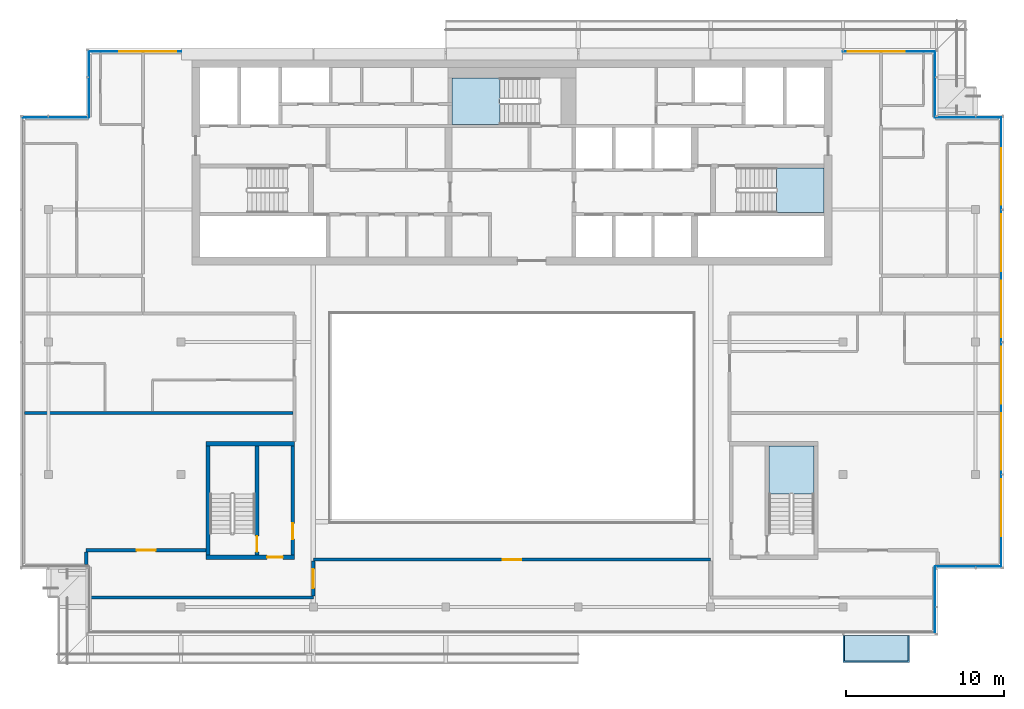
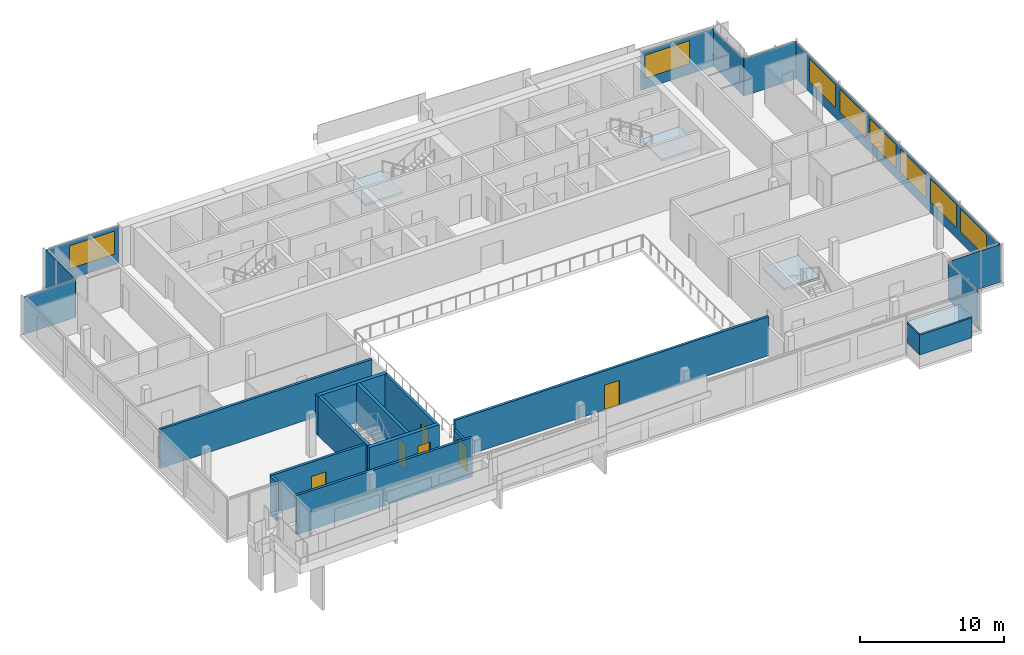
# One storey, part 11 of 22: 11 plates, 11 walls, 8 windows, 6 doors, 3 slabs, 14 openings, 11 elements without a shape of their own.
"""IFC4 building model written with IfcOpenShell, lengths in metres."""

from ifc_helpers import new_model, si_unit, direction, frame, frame_2d, origin, place, context, subcontext, project, spatial, polyline, rectangle, outline, extrude, material, layer, layer_set, type_object, element, fill, aggregate, save


model = new_model("IFC4")

# Units and contexts
model_context = context("Model", 3, precision=1e-05, world=origin(), true_north=direction((0.0, 1.0)))
body_context = subcontext(model_context, "Body", "Model", "MODEL_VIEW")
ifc_project = project(units=[si_unit("LENGTHUNIT", "METRE"), si_unit("AREAUNIT", "SQUARE_METRE"), si_unit("VOLUMEUNIT", "CUBIC_METRE"), si_unit("PLANEANGLEUNIT", "RADIAN"), si_unit("MASSUNIT", "GRAM", prefix="KILO")], contexts=[model_context])

# Site, building, storey
site_placement = place(None, origin())
site = spatial("IfcSite", under=ifc_project, at=site_placement, CompositionType="ELEMENT")
building_placement = place(site_placement, origin())
building = spatial("IfcBuilding", under=site, at=building_placement, Name="Saffron Gate Tower", CompositionType="ELEMENT")
storey_placement = place(building_placement, frame((0.0, 0.0, 295.949951171875)))
storey = spatial("IfcBuildingStorey", under=building, at=storey_placement, Name="L72", CompositionType="ELEMENT", Elevation=295.949951171875)

# Curtain wall, plate, openings, windows
ifc_material_1 = material(Name="Aluminium, bronze anodised", Category="aluminium")
curtain_wall_type_1 = type_object("IfcCurtainWallType", Name="CWS2 curtain wall side facades", PredefinedType="NOTDEFINED", material=ifc_material_1)
curtain_wall_1_placement = place(storey_placement, origin())
curtain_wall_1 = element("IfcCurtainWall", 1, at=curtain_wall_1_placement, inside=storey, type_object=curtain_wall_type_1, Name="CWS2 run 4", PredefinedType="NOTDEFINED")
ifc_material_2 = material(Name="Fritted bronze-tinted laminated glass", Category="glass")
ifc_layer_1 = layer(ifc_material_2, 0.028076171875)
ifc_layer_set_1 = layer_set([ifc_layer_1], Name="CWS2 fixed glass")
plate_type_1 = type_object("IfcPlateType", Name="CWS2 fixed glass", PredefinedType="CURTAIN_PANEL", material=ifc_layer_set_1)
plate_1_placement = place(storey_placement, frame((118.6259765625, 42.7880859375, 0.0), z_axis=(0.0, 0.0, 1.0), x_axis=(0.0, 1.0, 0.0)))
plate_1 = element("IfcPlate", 2, at=plate_1_placement, type_object=plate_type_1, Name="CWS2 glass panel", PredefinedType="CURTAIN_PANEL", context=body_context, shape_type="SweptSolid", body=[
    extrude(rectangle(XDim=28.423828125, YDim=0.028076171875, at=frame_2d((14.2119140625, 0.0))), origin(), (0.0, 0.0, 1.0), 3.199951171875),
])
opening_1_placement = place(plate_1_placement, frame((1.912109375, 0.0, 0.89990234375)))
opening_1 = element("IfcOpeningElement", 3, at=opening_1_placement, cuts=plate_1, Name="Opening W1", PredefinedType="OPENING", context=body_context, shape_type="SweptSolid", body=[
    extrude(rectangle(XDim=3.60009765625, YDim=1.949951171875, at=frame_2d((1.800048828125, 0.97509765625))), frame((0.0, 0.02392578125, 0.0), z_axis=(0.0, -1.0, 0.0), x_axis=(1.0, 0.0, 0.0)), (0.0, 0.0, 1.0), 0.048095703125),
])
opening_2_placement = place(plate_1_placement, frame((6.112060546875, 0.0, 0.89990234375)))
opening_2 = element("IfcOpeningElement", 4, at=opening_2_placement, cuts=plate_1, Name="Opening W1", PredefinedType="OPENING", context=body_context, shape_type="SweptSolid", body=[
    extrude(rectangle(XDim=3.60009765625, YDim=1.949951171875, at=frame_2d((1.800048828125, 0.97509765625))), frame((0.0, 0.02392578125, 0.0), z_axis=(0.0, -1.0, 0.0), x_axis=(1.0, 0.0, 0.0)), (0.0, 0.0, 1.0), 0.048095703125),
])
opening_3_placement = place(plate_1_placement, frame((10.31201171875, 0.0, 0.89990234375)))
opening_3 = element("IfcOpeningElement", 5, at=opening_3_placement, cuts=plate_1, Name="Opening W1", PredefinedType="OPENING", context=body_context, shape_type="SweptSolid", body=[
    extrude(rectangle(XDim=3.60009765625, YDim=1.949951171875, at=frame_2d((1.800048828125, 0.97509765625))), frame((0.0, 0.02392578125, 0.0), z_axis=(0.0, -1.0, 0.0), x_axis=(1.0, 0.0, 0.0)), (0.0, 0.0, 1.0), 0.048095703125),
])
opening_4_placement = place(plate_1_placement, frame((14.511962890625, 0.0, 0.89990234375)))
opening_4 = element("IfcOpeningElement", 6, at=opening_4_placement, cuts=plate_1, Name="Opening W1", PredefinedType="OPENING", context=body_context, shape_type="SweptSolid", body=[
    extrude(rectangle(XDim=3.60009765625, YDim=1.949951171875, at=frame_2d((1.800048828125, 0.97509765625))), frame((0.0, 0.02392578125, 0.0), z_axis=(0.0, -1.0, 0.0), x_axis=(1.0, 0.0, 0.0)), (0.0, 0.0, 1.0), 0.048095703125),
])
opening_5_placement = place(plate_1_placement, frame((18.7119140625, 0.0, 0.89990234375)))
opening_5 = element("IfcOpeningElement", 7, at=opening_5_placement, cuts=plate_1, Name="Opening W1", PredefinedType="OPENING", context=body_context, shape_type="SweptSolid", body=[
    extrude(rectangle(XDim=3.60009765625, YDim=1.949951171875, at=frame_2d((1.800048828125, 0.97509765625))), frame((0.0, 0.02392578125, 0.0), z_axis=(0.0, -1.0, 0.0), x_axis=(1.0, 0.0, 0.0)), (0.0, 0.0, 1.0), 0.048095703125),
])
opening_6_placement = place(plate_1_placement, frame((22.912109375, 0.0, 0.89990234375)))
opening_6 = element("IfcOpeningElement", 8, at=opening_6_placement, cuts=plate_1, Name="Opening W1", PredefinedType="OPENING", context=body_context, shape_type="SweptSolid", body=[
    extrude(rectangle(XDim=3.60009765625, YDim=1.949951171875, at=frame_2d((1.800048828125, 0.97509765625))), frame((0.0, 0.02392578125, 0.0), z_axis=(0.0, -1.0, 0.0), x_axis=(1.0, 0.0, 0.0)), (0.0, 0.0, 1.0), 0.048095703125),
])
ifc_material_3 = material(Name="Fritted bronze-tinted laminated glass in bronze frame", Category="glass")
ifc_layer_2 = layer(ifc_material_3, 0.06005859375)
ifc_layer_set_2 = layer_set([ifc_layer_2], Name="W1 operable panel 3600x1950")
window_type = type_object("IfcWindowType", Name="W1 operable panel 3600x1950", PartitioningType="DOUBLE_PANEL_HORIZONTAL", PredefinedType="WINDOW", material=ifc_layer_set_2)
window_1_placement = place(opening_1_placement, origin())
window_1 = element("IfcWindow", 9, at=window_1_placement, type_object=window_type, Name="W1 operable panel", OverallHeight=1.949951171875, OverallWidth=3.60009765625, PartitioningType="SINGLE_PANEL", PredefinedType="WINDOW", context=body_context, shape_type="SweptSolid", body=[
    extrude(rectangle(XDim=3.60009765625, YDim=1.949951171875, at=frame_2d((1.800048828125, 0.97509765625))), frame((0.0, 0.013671875, 0.0), z_axis=(0.0, -1.0, 0.0), x_axis=(1.0, 0.0, 0.0)), (0.0, 0.0, 1.0), 0.027587890625),
])
fill(opening_1, window_1)
window_2_placement = place(opening_2_placement, origin())
window_2 = element("IfcWindow", 10, at=window_2_placement, type_object=window_type, Name="W1 operable panel", OverallHeight=1.949951171875, OverallWidth=3.60009765625, PartitioningType="SINGLE_PANEL", PredefinedType="WINDOW", context=body_context, shape_type="SweptSolid", body=[
    extrude(rectangle(XDim=3.60009765625, YDim=1.949951171875, at=frame_2d((1.800048828125, 0.97509765625))), frame((0.0, 0.013671875, 0.0), z_axis=(0.0, -1.0, 0.0), x_axis=(1.0, 0.0, 0.0)), (0.0, 0.0, 1.0), 0.027587890625),
])
fill(opening_2, window_2)
window_3_placement = place(opening_3_placement, origin())
window_3 = element("IfcWindow", 11, at=window_3_placement, type_object=window_type, Name="W1 operable panel", OverallHeight=1.949951171875, OverallWidth=3.60009765625, PartitioningType="SINGLE_PANEL", PredefinedType="WINDOW", context=body_context, shape_type="SweptSolid", body=[
    extrude(rectangle(XDim=3.60009765625, YDim=1.949951171875, at=frame_2d((1.800048828125, 0.97509765625))), frame((0.0, 0.013671875, 0.0), z_axis=(0.0, -1.0, 0.0), x_axis=(1.0, 0.0, 0.0)), (0.0, 0.0, 1.0), 0.027587890625),
])
fill(opening_3, window_3)
window_4_placement = place(opening_4_placement, origin())
window_4 = element("IfcWindow", 12, at=window_4_placement, type_object=window_type, Name="W1 operable panel", OverallHeight=1.949951171875, OverallWidth=3.60009765625, PartitioningType="SINGLE_PANEL", PredefinedType="WINDOW", context=body_context, shape_type="SweptSolid", body=[
    extrude(rectangle(XDim=3.60009765625, YDim=1.949951171875, at=frame_2d((1.800048828125, 0.97509765625))), frame((0.0, 0.013671875, 0.0), z_axis=(0.0, -1.0, 0.0), x_axis=(1.0, 0.0, 0.0)), (0.0, 0.0, 1.0), 0.027587890625),
])
fill(opening_4, window_4)
window_5_placement = place(opening_5_placement, origin())
window_5 = element("IfcWindow", 13, at=window_5_placement, type_object=window_type, Name="W1 operable panel", OverallHeight=1.949951171875, OverallWidth=3.60009765625, PartitioningType="SINGLE_PANEL", PredefinedType="WINDOW", context=body_context, shape_type="SweptSolid", body=[
    extrude(rectangle(XDim=3.60009765625, YDim=1.949951171875, at=frame_2d((1.800048828125, 0.97509765625))), frame((0.0, 0.013671875, 0.0), z_axis=(0.0, -1.0, 0.0), x_axis=(1.0, 0.0, 0.0)), (0.0, 0.0, 1.0), 0.027587890625),
])
fill(opening_5, window_5)
window_6_placement = place(opening_6_placement, origin())
window_6 = element("IfcWindow", 14, at=window_6_placement, type_object=window_type, Name="W1 operable panel", OverallHeight=1.949951171875, OverallWidth=3.60009765625, PartitioningType="SINGLE_PANEL", PredefinedType="WINDOW", context=body_context, shape_type="SweptSolid", body=[
    extrude(rectangle(XDim=3.60009765625, YDim=1.949951171875, at=frame_2d((1.800048828125, 0.97509765625))), frame((0.0, 0.013671875, 0.0), z_axis=(0.0, -1.0, 0.0), x_axis=(1.0, 0.0, 0.0)), (0.0, 0.0, 1.0), 0.027587890625),
])
fill(opening_6, window_6)
aggregate(curtain_wall_1, [plate_1, window_1, window_2, window_3, window_4, window_5, window_6])

# Curtain wall, plates, openings, windows
curtain_wall_type_2 = type_object("IfcCurtainWallType", Name="CWS3 curtain wall rear facade", PredefinedType="NOTDEFINED", material=ifc_material_1)
curtain_wall_2_placement = place(storey_placement, origin())
curtain_wall_2 = element("IfcCurtainWall", 15, at=curtain_wall_2_placement, inside=storey, type_object=curtain_wall_type_2, Name="CWS3 run 7", PredefinedType="NOTDEFINED")
ifc_material_4 = material(Name="Fritted grey-tinted laminated glass", Category="glass")
ifc_layer_3 = layer(ifc_material_4, 0.028076171875)
ifc_layer_set_3 = layer_set([ifc_layer_3], Name="CWS3 fixed glass")
plate_type_2 = type_object("IfcPlateType", Name="CWS3 fixed glass", PredefinedType="CURTAIN_PANEL", material=ifc_layer_set_3)
plate_2_placement = place(storey_placement, frame((114.412109375, 75.426025390625, 0.0), z_axis=(0.0, 0.0, 1.0), x_axis=(-1.0, 0.0, 0.0)))
plate_2 = element("IfcPlate", 16, at=plate_2_placement, type_object=plate_type_2, Name="CWS3 glass panel", PredefinedType="CURTAIN_PANEL", context=body_context, shape_type="SweptSolid", body=[
    extrude(rectangle(XDim=5.84716796875, YDim=0.028076171875, at=frame_2d((2.923583984375, 0.0))), origin(), (0.0, 0.0, 1.0), 3.199951171875),
])
opening_7_placement = place(plate_2_placement, frame((1.912109375, 0.0, 0.89990234375)))
opening_7 = element("IfcOpeningElement", 17, at=opening_7_placement, cuts=plate_2, Name="Opening W1", PredefinedType="OPENING", context=body_context, shape_type="SweptSolid", body=[
    extrude(rectangle(XDim=3.60009765625, YDim=1.949951171875, at=frame_2d((1.800048828125, 0.97509765625))), frame((0.0, 0.02392578125, 0.0), z_axis=(0.0, -1.0, 0.0), x_axis=(1.0, 0.0, 0.0)), (0.0, 0.0, 1.0), 0.048095703125),
])
window_7_placement = place(opening_7_placement, origin())
window_7 = element("IfcWindow", 18, at=window_7_placement, type_object=window_type, Name="W1 operable panel", OverallHeight=1.949951171875, OverallWidth=3.60009765625, PartitioningType="SINGLE_PANEL", PredefinedType="WINDOW", context=body_context, shape_type="SweptSolid", body=[
    extrude(rectangle(XDim=3.60009765625, YDim=1.949951171875, at=frame_2d((1.800048828125, 0.97509765625))), frame((0.0, 0.013671875, 0.0), z_axis=(0.0, -1.0, 0.0), x_axis=(1.0, 0.0, 0.0)), (0.0, 0.0, 1.0), 0.027587890625),
])
fill(opening_7, window_7)
plate_3_placement = place(storey_placement, frame((66.635009765625, 75.426025390625, 0.0), z_axis=(0.0, 0.0, 1.0), x_axis=(-1.0, 0.0, 0.0)))
plate_3 = element("IfcPlate", 19, at=plate_3_placement, type_object=plate_type_2, Name="CWS3 glass panel", PredefinedType="CURTAIN_PANEL", context=body_context, shape_type="SweptSolid", body=[
    extrude(rectangle(XDim=5.846923828125, YDim=0.028076171875, at=frame_2d((2.92333984375, 0.0))), origin(), (0.0, 0.0, 1.0), 3.199951171875),
])
opening_8_placement = place(plate_3_placement, frame((0.3349609375, 0.0, 0.89990234375)))
opening_8 = element("IfcOpeningElement", 20, at=opening_8_placement, cuts=plate_3, Name="Opening W1", PredefinedType="OPENING", context=body_context, shape_type="SweptSolid", body=[
    extrude(rectangle(XDim=3.60009765625, YDim=1.949951171875, at=frame_2d((1.800048828125, 0.97509765625))), frame((0.0, 0.02392578125, 0.0), z_axis=(0.0, -1.0, 0.0), x_axis=(1.0, 0.0, 0.0)), (0.0, 0.0, 1.0), 0.048095703125),
])
window_8_placement = place(opening_8_placement, origin())
window_8 = element("IfcWindow", 21, at=window_8_placement, type_object=window_type, Name="W1 operable panel", OverallHeight=1.949951171875, OverallWidth=3.60009765625, PartitioningType="SINGLE_PANEL", PredefinedType="WINDOW", context=body_context, shape_type="SweptSolid", body=[
    extrude(rectangle(XDim=3.60009765625, YDim=1.949951171875, at=frame_2d((1.800048828125, 0.97509765625))), frame((0.0, 0.013671875, 0.0), z_axis=(0.0, -1.0, 0.0), x_axis=(1.0, 0.0, 0.0)), (0.0, 0.0, 1.0), 0.027587890625),
])
fill(opening_8, window_8)
aggregate(curtain_wall_2, [plate_2, plate_3, window_7, window_8])

# Curtain wall, plate
curtain_wall_type_3 = type_object("IfcCurtainWallType", Name="CWS4 curtain wall corner returns", PredefinedType="NOTDEFINED", material=ifc_material_1)
curtain_wall_3_placement = place(storey_placement, origin())
curtain_wall_3 = element("IfcCurtainWall", 22, at=curtain_wall_3_placement, inside=storey, type_object=curtain_wall_type_3, Name="CWS4 run 2", PredefinedType="NOTDEFINED")
ifc_layer_4 = layer(ifc_material_2, 0.028076171875)
ifc_layer_set_4 = layer_set([ifc_layer_4], Name="CWS4 fixed glass")
plate_type_3 = type_object("IfcPlateType", Name="CWS4 fixed glass", PredefinedType="CURTAIN_PANEL", material=ifc_layer_set_4)
plate_4_placement = place(storey_placement, frame((114.426025390625, 38.587890625, 0.0), z_axis=(0.0, 0.0, 1.0), x_axis=(0.0, 1.0, 0.0)))
plate_4 = element("IfcPlate", 23, at=plate_4_placement, type_object=plate_type_3, Name="CWS4 glass panel", PredefinedType="CURTAIN_PANEL", context=body_context, shape_type="SweptSolid", body=[
    extrude(rectangle(XDim=4.172119140625, YDim=0.028076171875, at=frame_2d((2.0859375, 0.0))), origin(), (0.0, 0.0, 1.0), 3.199951171875),
])
aggregate(curtain_wall_3, [plate_4])

curtain_wall_4_placement = place(storey_placement, origin())
curtain_wall_4 = element("IfcCurtainWall", 24, at=curtain_wall_4_placement, inside=storey, type_object=curtain_wall_type_3, Name="CWS4 run 3", PredefinedType="NOTDEFINED")
plate_5_placement = place(storey_placement, frame((114.43994140625, 42.77392578125, 0.0), z_axis=(0.0, 0.0, 1.0), x_axis=(1.0, 0.0, 0.0)))
plate_5 = element("IfcPlate", 25, at=plate_5_placement, type_object=plate_type_3, Name="CWS4 glass panel", PredefinedType="CURTAIN_PANEL", context=body_context, shape_type="SweptSolid", body=[
    extrude(rectangle(XDim=4.172119140625, YDim=0.028076171875, at=frame_2d((2.0859375, 0.0))), origin(), (0.0, 0.0, 1.0), 3.199951171875),
])
aggregate(curtain_wall_4, [plate_5])

curtain_wall_5_placement = place(storey_placement, origin())
curtain_wall_5 = element("IfcCurtainWall", 26, at=curtain_wall_5_placement, inside=storey, type_object=curtain_wall_type_3, Name="CWS4 run 5", PredefinedType="NOTDEFINED")
plate_6_placement = place(storey_placement, frame((118.612060546875, 71.22607421875, 0.0), z_axis=(0.0, 0.0, 1.0), x_axis=(-1.0, 0.0, 0.0)))
plate_6 = element("IfcPlate", 27, at=plate_6_placement, type_object=plate_type_3, Name="CWS4 glass panel", PredefinedType="CURTAIN_PANEL", context=body_context, shape_type="SweptSolid", body=[
    extrude(rectangle(XDim=4.172119140625, YDim=0.028076171875, at=frame_2d((2.0859375, 0.0))), origin(), (0.0, 0.0, 1.0), 3.199951171875),
])
aggregate(curtain_wall_5, [plate_6])

curtain_wall_6_placement = place(storey_placement, origin())
curtain_wall_6 = element("IfcCurtainWall", 28, at=curtain_wall_6_placement, inside=storey, type_object=curtain_wall_type_3, Name="CWS4 run 6", PredefinedType="NOTDEFINED")
plate_7_placement = place(storey_placement, frame((114.426025390625, 71.239990234375, 0.0), z_axis=(0.0, 0.0, 1.0), x_axis=(0.0, 1.0, 0.0)))
plate_7 = element("IfcPlate", 29, at=plate_7_placement, type_object=plate_type_3, Name="CWS4 glass panel", PredefinedType="CURTAIN_PANEL", context=body_context, shape_type="SweptSolid", body=[
    extrude(rectangle(XDim=4.172119140625, YDim=0.028076171875, at=frame_2d((2.0859375, 0.0))), origin(), (0.0, 0.0, 1.0), 3.199951171875),
])
aggregate(curtain_wall_6, [plate_7])

curtain_wall_7_placement = place(storey_placement, origin())
curtain_wall_7 = element("IfcCurtainWall", 30, at=curtain_wall_7_placement, inside=storey, type_object=curtain_wall_type_3, Name="CWS4 run 8", PredefinedType="NOTDEFINED")
plate_8_placement = place(storey_placement, frame((60.77392578125, 75.412109375, 0.0), z_axis=(0.0, 0.0, 1.0), x_axis=(0.0, -1.0, 0.0)))
plate_8 = element("IfcPlate", 31, at=plate_8_placement, type_object=plate_type_3, Name="CWS4 glass panel", PredefinedType="CURTAIN_PANEL", context=body_context, shape_type="SweptSolid", body=[
    extrude(rectangle(XDim=4.172119140625, YDim=0.028076171875, at=frame_2d((2.0859375, 0.0))), origin(), (0.0, 0.0, 1.0), 3.199951171875),
])
aggregate(curtain_wall_7, [plate_8])

curtain_wall_8_placement = place(storey_placement, origin())
curtain_wall_8 = element("IfcCurtainWall", 32, at=curtain_wall_8_placement, inside=storey, type_object=curtain_wall_type_3, Name="CWS4 run 9", PredefinedType="NOTDEFINED")
plate_9_placement = place(storey_placement, frame((60.760009765625, 71.22607421875, 0.0), z_axis=(0.0, 0.0, 1.0), x_axis=(-1.0, 0.0, 0.0)))
plate_9 = element("IfcPlate", 33, at=plate_9_placement, type_object=plate_type_3, Name="CWS4 glass panel", PredefinedType="CURTAIN_PANEL", context=body_context, shape_type="SweptSolid", body=[
    extrude(rectangle(XDim=4.172119140625, YDim=0.028076171875, at=frame_2d((2.0859375, 0.0))), origin(), (0.0, 0.0, 1.0), 3.199951171875),
])
aggregate(curtain_wall_8, [plate_9])

# Stair, slab
ifc_material_5 = material(Name="Concrete C40", Category="concrete")
stair_type = type_object("IfcStairType", Name="ST7 Stair 1350 wide, 20 risers of 180", PredefinedType="HALF_TURN_STAIR", material=ifc_material_5)
stair_1_placement = place(storey_placement, origin())
stair_1 = element("IfcStair", 34, at=stair_1_placement, inside=storey, type_object=stair_type, Name="L72 Exit stair B", PredefinedType="HALF_TURN_STAIR")
ifc_layer_5 = layer(ifc_material_5, 0.199951171875)
ifc_layer_set_5 = layer_set([ifc_layer_5], Name="SL1 Stair landing 200")
slab_type = type_object("IfcSlabType", Name="SL1 Stair landing 200", PredefinedType="LANDING", material=ifc_layer_set_5)
slab_1_placement = place(storey_placement, frame((0.0, 0.0, 1.60009765625)))
slab_1 = element("IfcSlab", 35, at=slab_1_placement, type_object=slab_type, Name="ST-B landing 1", PredefinedType="LANDING", context=body_context, shape_type="SweptSolid", body=[
    extrude(outline(polyline([(104.3701171875, 65.199951171875), (107.39990234375, 65.199951171875), (107.39990234375, 68.050048828125), (104.3701171875, 68.050048828125), (104.3701171875, 65.199951171875)])), origin(), (0.0, 0.0, 1.0), 0.199951171875),
])
aggregate(stair_1, [slab_1])

stair_2_placement = place(storey_placement, origin())
stair_2 = element("IfcStair", 36, at=stair_2_placement, inside=storey, type_object=stair_type, Name="L72 Exit stair C", PredefinedType="HALF_TURN_STAIR")
slab_2_placement = place(storey_placement, frame((0.0, 0.0, 1.60009765625)))
slab_2 = element("IfcSlab", 37, at=slab_2_placement, type_object=slab_type, Name="ST-C landing 1", PredefinedType="LANDING", context=body_context, shape_type="SweptSolid", body=[
    extrude(outline(polyline([(86.830078125, 73.75), (83.800048828125, 73.75), (83.800048828125, 70.800048828125), (86.830078125, 70.800048828125), (86.830078125, 73.75)])), origin(), (0.0, 0.0, 1.0), 0.199951171875),
])
aggregate(stair_2, [slab_2])

stair_3_placement = place(storey_placement, origin())
stair_3 = element("IfcStair", 38, at=stair_3_placement, inside=storey, type_object=stair_type, Name="L72 Exit stair E", PredefinedType="HALF_TURN_STAIR")
slab_3_placement = place(storey_placement, frame((0.0, 0.0, 1.60009765625)))
slab_3 = element("IfcSlab", 39, at=slab_3_placement, type_object=slab_type, Name="ST-E landing 1", PredefinedType="LANDING", context=body_context, shape_type="SweptSolid", body=[
    extrude(outline(polyline([(106.75, 47.3701171875), (106.75, 50.39990234375), (103.89990234375, 50.39990234375), (103.89990234375, 47.3701171875), (106.75, 47.3701171875)])), origin(), (0.0, 0.0, 1.0), 0.199951171875),
])
aggregate(stair_3, [slab_3])

# Plates
ifc_layer_6 = layer(ifc_material_1, 0.1201171875)
ifc_layer_set_6 = layer_set([ifc_layer_6], Name="WB2 box roof")
plate_type_4 = type_object("IfcPlateType", Name="WB2 box roof", PredefinedType="SHEET", material=ifc_layer_set_6)
plate_10_placement = place(storey_placement, frame((0.0, 0.0, 2.699951171875)))
element("IfcPlate", 40, at=plate_10_placement, inside=storey, type_object=plate_type_4, Name="WINDOW BOX roof", PredefinedType="SHEET", context=body_context, shape_type="SweptSolid", body=[
    extrude(outline(polyline([(108.60009765625, 38.39990234375), (112.800048828125, 38.39990234375), (112.800048828125, 36.6669921875), (108.60009765625, 36.6669921875), (108.60009765625, 38.39990234375)])), origin(), (0.0, 0.0, 1.0), 0.1201171875),
])
ifc_material_6 = material(Name="Clear low-iron laminated glass", Category="glass")
ifc_layer_7 = layer(ifc_material_6, 0.10009765625)
ifc_layer_set_7 = layer_set([ifc_layer_7], Name="WB6 box glazing")
plate_type_5 = type_object("IfcPlateType", Name="WB6 box glazing", PredefinedType="SHEET", material=ifc_layer_set_7)
plate_11_placement = place(storey_placement, frame((0.0, 0.0, 1.0)))
element("IfcPlate", 41, at=plate_11_placement, inside=storey, type_object=plate_type_5, Name="WINDOW BOX glazing", PredefinedType="SHEET", context=body_context, shape_type="SweptSolid", body=[
    extrude(outline(polyline([(108.60009765625, 38.39990234375), (108.699951171875, 38.39990234375), (108.699951171875, 36.76708984375), (112.699951171875, 36.76708984375), (112.699951171875, 38.39990234375), (112.800048828125, 38.39990234375), (112.800048828125, 36.6669921875), (108.60009765625, 36.6669921875), (108.60009765625, 38.39990234375)])), origin(), (0.0, 0.0, 1.0), 1.699951171875),
])

# Wall, opening, door
ifc_material_7 = material(Name="Gypsum board partition on steel studs", Category="steel")
ifc_layer_8 = layer(ifc_material_7, 0.199951171875)
ifc_layer_set_8 = layer_set([ifc_layer_8], Name="CW10 Core partition 200")
wall_type_1 = type_object("IfcWallType", Name="CW10 Core partition 200", PredefinedType="PARTITIONING", material=ifc_layer_set_8)
wall_1_placement = place(storey_placement, frame((73.699951171875, 43.5, 0.0), z_axis=(0.0, 0.0, 1.0), x_axis=(0.0, 1.0, 0.0)))
wall_1 = element("IfcWall", 42, at=wall_1_placement, inside=storey, type_object=wall_type_1, Name="Wall CW10-L72-D-4", PredefinedType="PARTITIONING", context=body_context, shape_type="SweptSolid", body=[
    extrude(rectangle(XDim=6.89990234375, YDim=0.199951171875, at=frame_2d((3.449951171875, 0.0))), origin(), (0.0, 0.0, 1.0), 3.320068359375),
])
opening_9_placement = place(wall_1_placement, frame((1.0, 0.0, 0.0)))
opening_9 = element("IfcOpeningElement", 43, at=opening_9_placement, cuts=wall_1, Name="Opening CR-19", PredefinedType="OPENING", context=body_context, shape_type="SweptSolid", body=[
    extrude(rectangle(XDim=1.0, YDim=2.10009765625, at=frame_2d((0.5, 1.050048828125))), frame((0.0, 0.10986328125, 0.0), z_axis=(0.0, -1.0, 0.0), x_axis=(1.0, 0.0, 0.0)), (0.0, 0.0, 1.0), 0.219970703125),
])
ifc_material_8 = material(Name="Steel fire door set", Category="steel")
door_type_1 = type_object("IfcDoorType", Name="CD4 Lobby door 1000x2100 EI 120", OperationType="NOTDEFINED", PredefinedType="DOOR", material=ifc_material_8)
door_1_placement = place(opening_9_placement, origin())
door_1 = element("IfcDoor", 44, at=door_1_placement, inside=storey, type_object=door_type_1, Name="DOOR CR-19", OperationType="SINGLE_SWING_RIGHT", OverallHeight=2.10009765625, OverallWidth=1.0, PredefinedType="DOOR", context=body_context, shape_type="SweptSolid", body=[
    extrude(rectangle(XDim=1.0, YDim=2.10009765625, at=frame_2d((0.5, 1.050048828125))), frame((0.0, 0.02490234375, 0.0), z_axis=(0.0, -1.0, 0.0), x_axis=(1.0, 0.0, 0.0)), (0.0, 0.0, 1.0), 0.050048828125),
])
fill(opening_9, door_1)

# Wall
ifc_material_9 = material(Name="Concrete C50", Category="concrete")
ifc_layer_9 = layer(ifc_material_9, 0.25)
ifc_layer_set_9 = layer_set([ifc_layer_9], Name="CW23 RC core wall 250 C50")
wall_type_2 = type_object("IfcWallType", Name="CW23 RC core wall 250 C50", PredefinedType="SOLIDWALL", material=ifc_layer_set_9)
wall_2_placement = place(storey_placement, frame((68.324951171875, 43.5, 0.0), z_axis=(0.0, 0.0, 1.0), x_axis=(0.0, 1.0, 0.0)))
element("IfcWall", 45, at=wall_2_placement, inside=storey, type_object=wall_type_2, Name="Wall CW23-L72-D-2", PredefinedType="SOLIDWALL", context=body_context, shape_type="SweptSolid", body=[
    extrude(rectangle(XDim=6.89990234375, YDim=0.25, at=frame_2d((3.449951171875, 0.0))), origin(), (0.0, 0.0, 1.0), 3.320068359375),
])

# Wall, opening, door
wall_3_placement = place(storey_placement, frame((71.425048828125, 43.5, 0.0), z_axis=(0.0, 0.0, 1.0), x_axis=(0.0, 1.0, 0.0)))
wall_3 = element("IfcWall", 46, at=wall_3_placement, inside=storey, type_object=wall_type_2, Name="Wall CW23-L72-D-3", PredefinedType="SOLIDWALL", context=body_context, shape_type="SweptSolid", body=[
    extrude(rectangle(XDim=6.89990234375, YDim=0.25, at=frame_2d((3.449951171875, 0.0))), origin(), (0.0, 0.0, 1.0), 3.320068359375),
])
opening_10_placement = place(wall_3_placement, frame((0.199951171875, 0.0, 0.0)))
opening_10 = element("IfcOpeningElement", 47, at=opening_10_placement, cuts=wall_3, Name="Opening CR-20", PredefinedType="OPENING", context=body_context, shape_type="SweptSolid", body=[
    extrude(rectangle(XDim=1.0, YDim=2.10009765625, at=frame_2d((0.5, 1.050048828125))), frame((0.0, 0.135009765625, 0.0), z_axis=(0.0, -1.0, 0.0), x_axis=(1.0, 0.0, 0.0)), (0.0, 0.0, 1.0), 0.27001953125),
])
door_type_2 = type_object("IfcDoorType", Name="CD5 Stair door 1000x2100 EI 120", OperationType="NOTDEFINED", PredefinedType="DOOR", material=ifc_material_8)
door_2_placement = place(opening_10_placement, origin())
door_2 = element("IfcDoor", 48, at=door_2_placement, inside=storey, type_object=door_type_2, Name="DOOR CR-20", OperationType="SINGLE_SWING_LEFT", OverallHeight=2.10009765625, OverallWidth=1.0, PredefinedType="DOOR", context=body_context, shape_type="SweptSolid", body=[
    extrude(rectangle(XDim=1.0, YDim=2.10009765625, at=frame_2d((0.5, 1.050048828125))), frame((0.0, 0.02490234375, 0.0), z_axis=(0.0, -1.0, 0.0), x_axis=(1.0, 0.0, 0.0)), (0.0, 0.0, 1.0), 0.050048828125),
])
fill(opening_10, door_2)

ifc_layer_10 = layer(ifc_material_9, 0.300048828125)
ifc_layer_set_10 = layer_set([ifc_layer_10], Name="CW26 RC core wall 300 C50")
wall_type_3 = type_object("IfcWallType", Name="CW26 RC core wall 300 C50", PredefinedType="SOLIDWALL", material=ifc_layer_set_10)
wall_4_placement = place(storey_placement, frame((68.199951171875, 43.35009765625, 0.0), z_axis=(0.0, 0.0, 1.0), x_axis=(1.0, 0.0, 0.0)))
wall_4 = element("IfcWall", 49, at=wall_4_placement, inside=storey, type_object=wall_type_3, Name="Wall CW26-L72-D-1", PredefinedType="SOLIDWALL", context=body_context, shape_type="SweptSolid", body=[
    extrude(rectangle(XDim=5.60009765625, YDim=0.300048828125, at=frame_2d((2.800048828125, 0.0))), origin(), (0.0, 0.0, 1.0), 3.320068359375),
])
opening_11_placement = place(wall_4_placement, frame((3.875, 0.0, 0.0)))
opening_11 = element("IfcOpeningElement", 50, at=opening_11_placement, cuts=wall_4, Name="Opening CR-18", PredefinedType="OPENING", context=body_context, shape_type="SweptSolid", body=[
    extrude(rectangle(XDim=1.0, YDim=2.10009765625, at=frame_2d((0.5, 1.050048828125))), frame((0.0, 0.16015625, 0.0), z_axis=(0.0, -1.0, 0.0), x_axis=(1.0, 0.0, 0.0)), (0.0, 0.0, 1.0), 0.320068359375),
])
door_3_placement = place(opening_11_placement, origin())
door_3 = element("IfcDoor", 51, at=door_3_placement, inside=storey, type_object=door_type_1, Name="DOOR CR-18", OperationType="SINGLE_SWING_RIGHT", OverallHeight=2.10009765625, OverallWidth=1.0, PredefinedType="DOOR", context=body_context, shape_type="SweptSolid", body=[
    extrude(rectangle(XDim=1.0, YDim=2.10009765625, at=frame_2d((0.5, 1.050048828125))), frame((0.0, 0.02490234375, 0.0), z_axis=(0.0, -1.0, 0.0), x_axis=(1.0, 0.0, 0.0)), (0.0, 0.0, 1.0), 0.050048828125),
])
fill(opening_11, door_3)

# Walls
wall_5_placement = place(storey_placement, frame((68.199951171875, 50.550048828125, 0.0), z_axis=(0.0, 0.0, 1.0), x_axis=(1.0, 0.0, 0.0)))
element("IfcWall", 52, at=wall_5_placement, inside=storey, type_object=wall_type_3, Name="Wall CW26-L72-D-5", PredefinedType="SOLIDWALL", context=body_context, shape_type="SweptSolid", body=[
    extrude(rectangle(XDim=5.60009765625, YDim=0.300048828125, at=frame_2d((2.800048828125, 0.0))), origin(), (0.0, 0.0, 1.0), 3.320068359375),
])
ifc_material_10 = material(Name="Clay brick masonry, rendered", Category="masonry")
ifc_layer_11 = layer(ifc_material_10, 0.199951171875)
ifc_layer_set_11 = layer_set([ifc_layer_11], Name="PW3 Corridor wall 200")
wall_type_4 = type_object("IfcWallType", Name="PW3 Corridor wall 200", PredefinedType="PARTITIONING", material=ifc_layer_set_11)
wall_6_placement = place(storey_placement, frame((60.8798828125, 40.800048828125, 0.0), z_axis=(0.0, 0.0, 1.0), x_axis=(1.0, 0.0, 0.0)))
element("IfcWall", 53, at=wall_6_placement, inside=storey, type_object=wall_type_4, Name="Wall E5-1", PredefinedType="PARTITIONING", context=body_context, shape_type="SweptSolid", body=[
    extrude(rectangle(XDim=14.1201171875, YDim=0.199951171875, at=frame_2d((7.06005859375, 0.0))), origin(), (0.0, 0.0, 1.0), 3.320068359375),
])

# Wall, opening, door
wall_7_placement = place(storey_placement, frame((100.199951171875, 43.199951171875, 0.0), z_axis=(0.0, 0.0, 1.0), x_axis=(-1.0, 0.0, 0.0)))
wall_7 = element("IfcWall", 54, at=wall_7_placement, inside=storey, type_object=wall_type_4, Name="Wall E5-3", PredefinedType="PARTITIONING", context=body_context, shape_type="SweptSolid", body=[
    extrude(rectangle(XDim=25.199951171875, YDim=0.199951171875, at=frame_2d((12.60009765625, 0.0))), origin(), (0.0, 0.0, 1.0), 3.320068359375),
])
opening_12_placement = place(wall_7_placement, frame((12.0, 0.0, 0.0)))
opening_12 = element("IfcOpeningElement", 55, at=opening_12_placement, cuts=wall_7, Name="Opening E5-14", PredefinedType="OPENING", context=body_context, shape_type="SweptSolid", body=[
    extrude(rectangle(XDim=1.199951171875, YDim=2.10009765625, at=frame_2d((0.60009765625, 1.050048828125))), frame((0.0, 0.10986328125, 0.0), z_axis=(0.0, -1.0, 0.0), x_axis=(1.0, 0.0, 0.0)), (0.0, 0.0, 1.0), 0.219970703125),
])
ifc_material_11 = material(Name="Timber door set", Category="wood")
door_type_3 = type_object("IfcDoorType", Name="HD1 Hall door 1200x2100", OperationType="NOTDEFINED", PredefinedType="DOOR", material=ifc_material_11)
door_4_placement = place(opening_12_placement, origin())
door_4 = element("IfcDoor", 56, at=door_4_placement, inside=storey, type_object=door_type_3, Name="Door E5-14", OperationType="SINGLE_SWING_RIGHT", OverallHeight=2.10009765625, OverallWidth=1.199951171875, PredefinedType="DOOR", context=body_context, shape_type="SweptSolid", body=[
    extrude(rectangle(XDim=1.199951171875, YDim=2.10009765625, at=frame_2d((0.60009765625, 1.050048828125))), frame((0.0, 0.02490234375, 0.0), z_axis=(0.0, -1.0, 0.0), x_axis=(1.0, 0.0, 0.0)), (0.0, 0.0, 1.0), 0.050048828125),
])
fill(opening_12, door_4)

wall_8_placement = place(storey_placement, frame((60.60009765625, 43.800048828125, 0.0), z_axis=(0.0, 0.0, 1.0), x_axis=(1.0, 0.0, 0.0)))
wall_8 = element("IfcWall", 57, at=wall_8_placement, inside=storey, type_object=wall_type_4, Name="Wall E5-4", PredefinedType="PARTITIONING", context=body_context, shape_type="SweptSolid", body=[
    extrude(rectangle(XDim=7.599853515625, YDim=0.199951171875, at=frame_2d((3.7998046875, 0.0))), origin(), (0.0, 0.0, 1.0), 3.320068359375),
])
opening_13_placement = place(wall_8_placement, frame((3.199951171875, 0.0, 0.0)))
opening_13 = element("IfcOpeningElement", 58, at=opening_13_placement, cuts=wall_8, Name="Opening E5-17", PredefinedType="OPENING", context=body_context, shape_type="SweptSolid", body=[
    extrude(rectangle(XDim=1.199951171875, YDim=2.10009765625, at=frame_2d((0.60009765625, 1.050048828125))), frame((0.0, 0.10986328125, 0.0), z_axis=(0.0, -1.0, 0.0), x_axis=(1.0, 0.0, 0.0)), (0.0, 0.0, 1.0), 0.219970703125),
])
door_5_placement = place(opening_13_placement, origin())
door_5 = element("IfcDoor", 59, at=door_5_placement, inside=storey, type_object=door_type_3, Name="Door E5-17", OperationType="SINGLE_SWING_LEFT", OverallHeight=2.10009765625, OverallWidth=1.199951171875, PredefinedType="DOOR", context=body_context, shape_type="SweptSolid", body=[
    extrude(rectangle(XDim=1.199951171875, YDim=2.10009765625, at=frame_2d((0.60009765625, 1.050048828125))), frame((0.0, 0.02490234375, 0.0), z_axis=(0.0, -1.0, 0.0), x_axis=(1.0, 0.0, 0.0)), (0.0, 0.0, 1.0), 0.050048828125),
])
fill(opening_13, door_5)

# Wall
wall_9_placement = place(storey_placement, frame((60.60009765625, 43.699951171875, 0.0), z_axis=(0.0, 0.0, 1.0), x_axis=(0.0, -1.0, 0.0)))
element("IfcWall", 60, at=wall_9_placement, inside=storey, type_object=wall_type_4, Name="Wall E5-30", PredefinedType="PARTITIONING", context=body_context, shape_type="SweptSolid", body=[
    extrude(rectangle(XDim=0.820068359375, YDim=0.199951171875, at=frame_2d((0.41015625, 0.0))), origin(), (0.0, 0.0, 1.0), 3.320068359375),
])

# Wall, opening, door
wall_10_placement = place(storey_placement, frame((75.0, 43.10009765625, 0.0), z_axis=(0.0, 0.0, 1.0), x_axis=(0.0, -1.0, 0.0)))
wall_10 = element("IfcWall", 61, at=wall_10_placement, inside=storey, type_object=wall_type_4, Name="Wall E5-37", PredefinedType="PARTITIONING", context=body_context, shape_type="SweptSolid", body=[
    extrude(rectangle(XDim=2.2001953125, YDim=0.199951171875, at=frame_2d((1.10009765625, 0.0))), origin(), (0.0, 0.0, 1.0), 2.530029296875),
])
opening_14_placement = place(wall_10_placement, frame((0.5, 0.0, 0.0)))
opening_14 = element("IfcOpeningElement", 62, at=opening_14_placement, cuts=wall_10, Name="Opening E5-18", PredefinedType="OPENING", context=body_context, shape_type="SweptSolid", body=[
    extrude(rectangle(XDim=1.199951171875, YDim=2.10009765625, at=frame_2d((0.60009765625, 1.050048828125))), frame((0.0, 0.10986328125, 0.0), z_axis=(0.0, -1.0, 0.0), x_axis=(1.0, 0.0, 0.0)), (0.0, 0.0, 1.0), 0.219970703125),
])
door_6_placement = place(opening_14_placement, origin())
door_6 = element("IfcDoor", 63, at=door_6_placement, inside=storey, type_object=door_type_3, Name="Door E5-18", OperationType="SINGLE_SWING_RIGHT", OverallHeight=2.10009765625, OverallWidth=1.199951171875, PredefinedType="DOOR", context=body_context, shape_type="SweptSolid", body=[
    extrude(rectangle(XDim=1.199951171875, YDim=2.10009765625, at=frame_2d((0.60009765625, 1.050048828125))), frame((0.0, 0.02490234375, 0.0), z_axis=(0.0, -1.0, 0.0), x_axis=(1.0, 0.0, 0.0)), (0.0, 0.0, 1.0), 0.050048828125),
])
fill(opening_14, door_6)

# Wall
ifc_layer_12 = layer(ifc_material_10, 0.199951171875)
ifc_layer_set_12 = layer_set([ifc_layer_12], Name="PW5 Room wall 200")
wall_type_5 = type_object("IfcWallType", Name="PW5 Room wall 200", PredefinedType="PARTITIONING", material=ifc_layer_set_12)
wall_11_placement = place(storey_placement, frame((56.679931640625, 52.5, 0.0), z_axis=(0.0, 0.0, 1.0), x_axis=(1.0, 0.0, 0.0)))
element("IfcWall", 64, at=wall_11_placement, inside=storey, type_object=wall_type_5, Name="Wall E5-6", PredefinedType="PARTITIONING", context=body_context, shape_type="SweptSolid", body=[
    extrude(rectangle(XDim=17.02001953125, YDim=0.199951171875, at=frame_2d((8.510009765625, 0.0))), origin(), (0.0, 0.0, 1.0), 3.320068359375),
])

save(model, "model.ifc")
